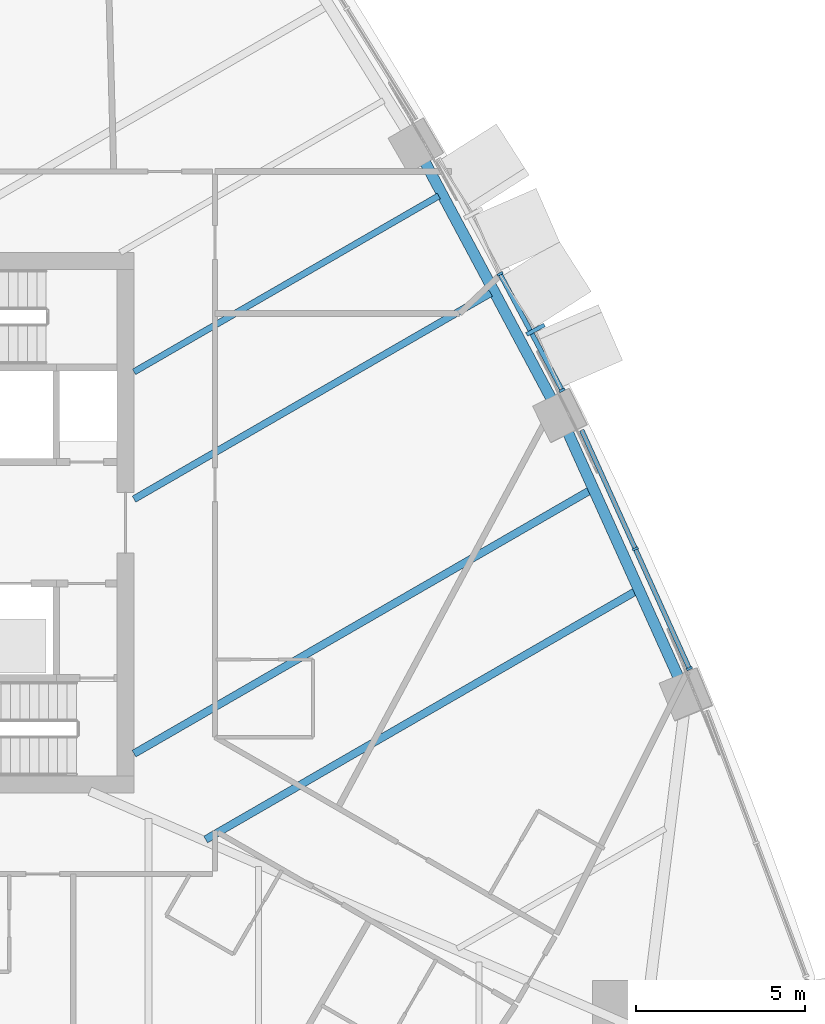
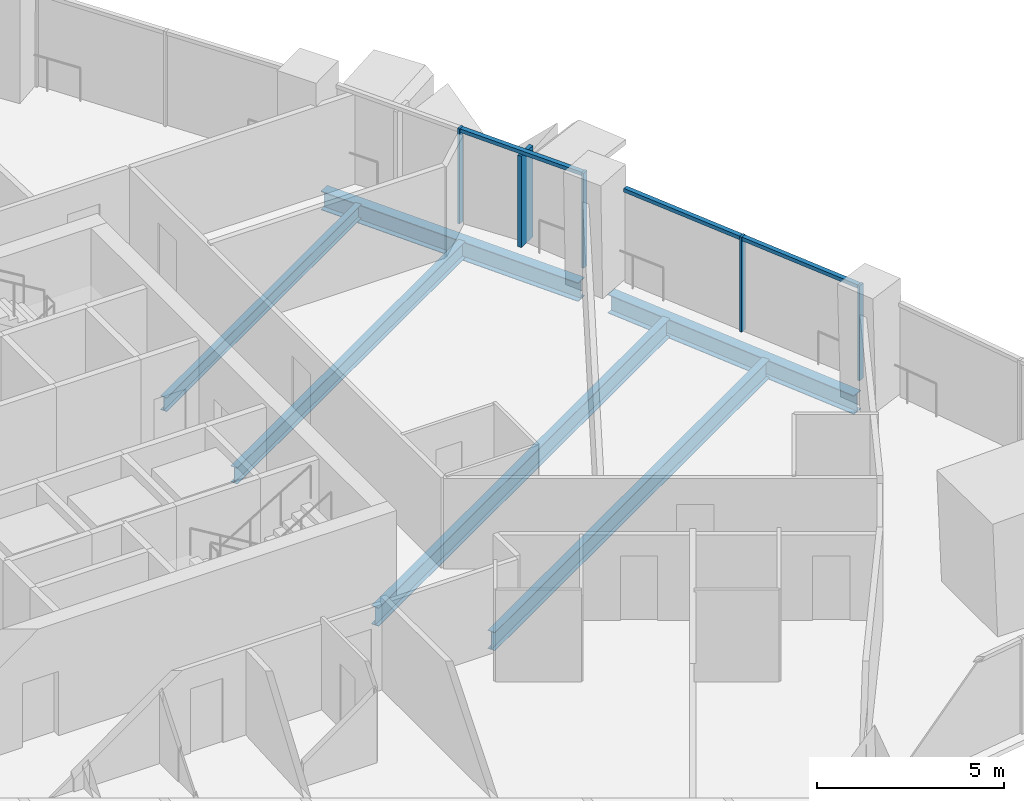
# One storey, part 5 of 18: 8 members, 6 beams, 2 elements without a shape of their own.
"""IFC4 building model written with IfcOpenShell, lengths in metres."""

from ifc_helpers import new_model, si_unit, direction, frame, origin, origin_2d, place, context, subcontext, project, spatial, rectangle, i_section, extrude, material, layer, layer_set, material_profile, profile_set, type_object, element, aggregate, save


model = new_model("IFC4")

# Units and contexts
model_context = context("Model", 3, precision=1e-05, world=origin(), true_north=direction((0.0, 1.0)))
body_context = subcontext(model_context, "Body", "Model", "MODEL_VIEW")
ifc_project = project(units=[si_unit("LENGTHUNIT", "METRE"), si_unit("AREAUNIT", "SQUARE_METRE"), si_unit("VOLUMEUNIT", "CUBIC_METRE"), si_unit("PLANEANGLEUNIT", "RADIAN"), si_unit("MASSUNIT", "GRAM", prefix="KILO")], contexts=[model_context])

# Site, building, storey
site_placement = place(None, origin())
site = spatial("IfcSite", under=ifc_project, at=site_placement, CompositionType="ELEMENT")
building_placement = place(site_placement, origin())
building = spatial("IfcBuilding", under=site, at=building_placement, Name="Sierra Prisma Convention Tower", CompositionType="ELEMENT")
storey_placement = place(building_placement, frame((0.0, 0.0, 85.0)))
storey = spatial("IfcBuildingStorey", under=building, at=storey_placement, Name="L17", CompositionType="ELEMENT", Elevation=85.0)

# Curtain wall, member
ifc_material_1 = material(Name="Aluminium and glass curtain wall", Category="aluminium")
ifc_layer_1 = layer(ifc_material_1, 0.179931640625)
ifc_layer_set_1 = layer_set([ifc_layer_1], Name="CW-2 Faceted crystal curtain wall")
curtain_wall_type_1 = type_object("IfcCurtainWallType", Name="CW-2 Faceted crystal curtain wall", PredefinedType="NOTDEFINED", material=ifc_layer_set_1)
curtain_wall_1_placement = place(storey_placement, origin())
curtain_wall_1 = element("IfcCurtainWall", 1, at=curtain_wall_1_placement, inside=storey, type_object=curtain_wall_type_1, Name="CW-2 NE3 L17", PredefinedType="NOTDEFINED")
ifc_material_2 = material(Name="Aluminium 6063-T6 bronze anodised", Category="aluminium")
ifc_material_profile_1 = material_profile(ifc_material_2, rectangle(XDim=0.1201171875, YDim=0.60009765625, at=origin_2d()), Name="ALU RIDGE BLADE 120x600")
ifc_profile_set_1 = profile_set([ifc_material_profile_1], Name="Aluminium 6063-T6 bronze anodised")
member_type_1 = type_object("IfcMemberType", Name="CW hip bronze", PredefinedType="MULLION", material=ifc_profile_set_1)
member_1_placement = place(storey_placement, frame((22.891845703125, 5.71533203125, 0.0), z_axis=(0.0, 0.0, 1.0), x_axis=(-0.470993707752, 0.882136569505, 0.0)))
member_1 = element("IfcMember", 2, at=member_1_placement, type_object=member_type_1, Name="CW-2 ridge NE3.1", PredefinedType="MULLION", context=body_context, shape_type="SweptSolid", body=[
    extrude(rectangle(XDim=0.1201171875, YDim=0.60009765625, at=origin_2d()), origin(), (0.0, 0.0, 1.0), 2.97998046875),
])

# Curtain wall, members
ifc_material_3 = material(Name="Aluminium and glass curtain wall", Category="aluminium")
ifc_layer_2 = layer(ifc_material_3, 0.179931640625)
ifc_layer_set_2 = layer_set([ifc_layer_2], Name="CW-1 Plain shaft curtain wall")
curtain_wall_type_2 = type_object("IfcCurtainWallType", Name="CW-1 Plain shaft curtain wall", PredefinedType="NOTDEFINED", material=ifc_layer_set_2)
curtain_wall_2_placement = place(storey_placement, origin())
curtain_wall_2 = element("IfcCurtainWall", 3, at=curtain_wall_2_placement, inside=storey, type_object=curtain_wall_type_2, Name="CW-1 NE2 L17", PredefinedType="NOTDEFINED")
ifc_material_4 = material(Name="Aluminium 6063-T6 bronze anodised", Category="aluminium")
ifc_material_profile_2 = material_profile(ifc_material_4, rectangle(XDim=0.179931640625, YDim=0.070068359375, at=origin_2d()), Name="ALU MULLION 70x180")
ifc_profile_set_2 = profile_set([ifc_material_profile_2], Name="Aluminium 6063-T6 bronze anodised")
member_type_2 = type_object("IfcMemberType", Name="CW mullion bronze", PredefinedType="MULLION", material=ifc_profile_set_2)
member_2_placement = place(storey_placement, frame((27.4462890625, -4.3203125, 0.0), z_axis=(0.0, 0.0, 1.0), x_axis=(-0.91142870865, -0.411458028296, 0.0)))
member_2 = element("IfcMember", 4, at=member_2_placement, type_object=member_type_2, Name="CW-1 mullion NE2.1", PredefinedType="MULLION", context=body_context, shape_type="SweptSolid", body=[
    extrude(rectangle(XDim=0.179931640625, YDim=0.070068359375, at=origin_2d()), origin(), (0.0, 0.0, 1.0), 3.10009765625),
])
member_3_placement = place(storey_placement, frame((25.845703125, -0.774658203125, 0.0), z_axis=(0.0, 0.0, 1.0), x_axis=(-0.91142870865, -0.411458028296, 0.0)))
member_3 = element("IfcMember", 5, at=member_3_placement, type_object=member_type_2, Name="CW-1 mullion NE2.2", PredefinedType="MULLION", context=body_context, shape_type="SweptSolid", body=[
    extrude(rectangle(XDim=0.179931640625, YDim=0.070068359375, at=origin_2d()), origin(), (0.0, 0.0, 1.0), 3.10009765625),
])

# Member
member_4_placement = place(storey_placement, frame((23.678466796875, 3.92138671875, 0.0), z_axis=(0.0, 0.0, 1.0), x_axis=(-0.882136569505, -0.470993707752, 0.0)))
member_4 = element("IfcMember", 6, at=member_4_placement, type_object=member_type_2, Name="CW-1 mullion NE3.1", PredefinedType="MULLION", context=body_context, shape_type="SweptSolid", body=[
    extrude(rectangle(XDim=0.179931640625, YDim=0.070068359375, at=origin_2d()), origin(), (0.0, 0.0, 1.0), 3.10009765625),
])

member_5_placement = place(storey_placement, frame((21.838623046875, 7.367431640625, 0.0), z_axis=(0.0, 0.0, 1.0), x_axis=(-0.882136569505, -0.470993707752, 0.0)))
member_5 = element("IfcMember", 7, at=member_5_placement, type_object=member_type_2, Name="CW-1 mullion NE3.2", PredefinedType="MULLION", context=body_context, shape_type="SweptSolid", body=[
    extrude(rectangle(XDim=0.179931640625, YDim=0.070068359375, at=origin_2d()), origin(), (0.0, 0.0, 1.0), 3.10009765625),
])

ifc_material_5 = material(Name="Aluminium 6063-T6 bronze anodised", Category="aluminium")
ifc_material_profile_3 = material_profile(ifc_material_5, rectangle(XDim=0.139892578125, YDim=0.1201171875, at=origin_2d()), Name="ALU TRANSOM 120x140")
ifc_profile_set_3 = profile_set([ifc_material_profile_3], Name="Aluminium 6063-T6 bronze anodised")
member_type_3 = type_object("IfcMemberType", Name="CW transom bronze", PredefinedType="USERDEFINED", material=ifc_profile_set_3)
member_6_placement = place(storey_placement, frame((27.431884765625, -4.28857421875, 3.0400390625), z_axis=(-0.411432610885, 0.911440182733, 0.0), x_axis=(-0.911440182733, -0.411432610885, 0.0)))
member_6 = element("IfcMember", 8, at=member_6_placement, type_object=member_type_3, Name="CW-1 transom NE2.1", ObjectType="TRANSOM", PredefinedType="USERDEFINED", context=body_context, shape_type="SweptSolid", body=[
    extrude(rectangle(XDim=0.139892578125, YDim=0.1201171875, at=origin_2d()), origin(), (0.0, 0.0, 1.0), 3.8203125),
])

member_7_placement = place(storey_placement, frame((25.831298828125, -0.74267578125, 3.0400390625), z_axis=(-0.411485697734, 0.911416216972, 0.0), x_axis=(-0.911416216972, -0.411485697734, 0.0)))
member_7 = element("IfcMember", 9, at=member_7_placement, type_object=member_type_3, Name="CW-1 transom NE2.2", ObjectType="TRANSOM", PredefinedType="USERDEFINED", context=body_context, shape_type="SweptSolid", body=[
    extrude(rectangle(XDim=0.139892578125, YDim=0.1201171875, at=origin_2d()), origin(), (0.0, 0.0, 1.0), 3.8203125),
])

aggregate(curtain_wall_2, [member_2, member_3, member_6, member_7])

member_8_placement = place(storey_placement, frame((23.662109375, 3.9521484375, 3.0400390625), z_axis=(-0.470981243839, 0.882143224172, 0.0), x_axis=(-0.882143224172, -0.470981243839, 0.0)))
member_8 = element("IfcMember", 10, at=member_8_placement, type_object=member_type_3, Name="CW-1 transom NE3.1", ObjectType="TRANSOM", PredefinedType="USERDEFINED", context=body_context, shape_type="SweptSolid", body=[
    extrude(rectangle(XDim=0.139892578125, YDim=0.1201171875, at=origin_2d()), origin(), (0.0, 0.0, 1.0), 3.83642578125),
])

aggregate(curtain_wall_1, [member_4, member_5, member_8, member_1])

# Beams
ifc_material_6 = material(Name="Steel ASTM A992 Gr 50", Category="steel")
ifc_material_profile_4 = material_profile(ifc_material_6, i_section(OverallWidth=0.18994140625, OverallDepth=0.45703125, WebThickness=0.009033203125, FlangeThickness=0.014404296875, at=origin_2d()), Name="W460x74")
ifc_profile_set_4 = profile_set([ifc_material_profile_4], Name="Steel ASTM A992 Gr 50")
beam_type_1 = type_object("IfcBeamType", Name="Floor joist W460x74", PredefinedType="JOIST", material=ifc_profile_set_4)
beam_1_placement = place(storey_placement, frame((20.024658203125, 9.677001953125, -0.37841796875), z_axis=(-0.866022894995, -0.500004345326, 0.0), x_axis=(0.500004345326, -0.866022894995, 0.0)))
element("IfcBeam", 11, at=beam_1_placement, inside=storey, type_object=beam_type_1, Name="Floor joist L17 NE08", PredefinedType="JOIST", context=body_context, shape_type="SweptSolid", body=[
    extrude(i_section(OverallWidth=0.18994140625, OverallDepth=0.45703125, WebThickness=0.009033203125, FlangeThickness=0.014404296875, at=origin_2d()), origin(), (0.0, 0.0, 1.0), 10.4208984375),
])
ifc_material_7 = material(Name="Steel ASTM A992 Gr 50", Category="steel")
ifc_material_profile_5 = material_profile(ifc_material_7, i_section(OverallWidth=0.208984375, OverallDepth=0.532958984375, WebThickness=0.01025390625, FlangeThickness=0.015625, at=origin_2d()), Name="W530x92")
ifc_profile_set_5 = profile_set([ifc_material_profile_5], Name="Steel ASTM A992 Gr 50")
beam_type_2 = type_object("IfcBeamType", Name="Floor joist W530x92", PredefinedType="JOIST", material=ifc_profile_set_5)
beam_2_placement = place(storey_placement, frame((21.562744140625, 6.796142578125, -0.41650390625), z_axis=(-0.866025918604, -0.499999108305, 0.0), x_axis=(0.499999108305, -0.866025918604, 0.0)))
element("IfcBeam", 12, at=beam_2_placement, inside=storey, type_object=beam_type_2, Name="Floor joist L17 NE07", PredefinedType="JOIST", context=body_context, shape_type="SweptSolid", body=[
    extrude(i_section(OverallWidth=0.208984375, OverallDepth=0.532958984375, WebThickness=0.01025390625, FlangeThickness=0.015625, at=origin_2d()), origin(), (0.0, 0.0, 1.0), 12.19677734375),
])
ifc_material_8 = material(Name="Steel ASTM A992 Gr 50", Category="steel")
ifc_material_profile_6 = material_profile(ifc_material_8, i_section(OverallWidth=0.22802734375, OverallDepth=0.60302734375, WebThickness=0.010498046875, FlangeThickness=0.014892578125, at=origin_2d()), Name="W610x101")
ifc_profile_set_6 = profile_set([ifc_material_profile_6], Name="Steel ASTM A992 Gr 50")
beam_type_3 = type_object("IfcBeamType", Name="Floor joist W610x101", PredefinedType="JOIST", material=ifc_profile_set_6)
beam_3_placement = place(storey_placement, frame((25.851806640625, -2.033935546875, -0.451416015625), z_axis=(-0.866025713304, -0.499999463897, 0.0), x_axis=(0.499999463897, -0.866025713304, 0.0)))
element("IfcBeam", 13, at=beam_3_placement, inside=storey, type_object=beam_type_3, Name="Floor joist L17 NE04", PredefinedType="JOIST", context=body_context, shape_type="SweptSolid", body=[
    extrude(i_section(OverallWidth=0.22802734375, OverallDepth=0.60302734375, WebThickness=0.010498046875, FlangeThickness=0.014892578125, at=origin_2d()), origin(), (0.0, 0.0, 1.0), 14.69873046875),
])
beam_4_placement = place(storey_placement, frame((24.502197265625, 0.95556640625, -0.451416015625), z_axis=(-0.866027821991, -0.499995811521, 0.0), x_axis=(0.499995811521, -0.866027821991, 0.0)))
element("IfcBeam", 14, at=beam_4_placement, inside=storey, type_object=beam_type_3, Name="Floor joist L17 NE05", PredefinedType="JOIST", context=body_context, shape_type="SweptSolid", body=[
    extrude(i_section(OverallWidth=0.22802734375, OverallDepth=0.60302734375, WebThickness=0.010498046875, FlangeThickness=0.014892578125, at=origin_2d()), origin(), (0.0, 0.0, 1.0), 15.591064453125),
])
ifc_material_9 = material(Name="Steel ASTM A992 Gr 50", Category="steel")
ifc_material_profile_7 = material_profile(ifc_material_9, i_section(OverallWidth=0.324951171875, OverallDepth=0.615966796875, WebThickness=0.013916015625, FlangeThickness=0.021484375, at=origin_2d()), Name="W610x174")
ifc_profile_set_7 = profile_set([ifc_material_profile_7], Name="Steel ASTM A992 Gr 50")
beam_type_4 = type_object("IfcBeamType", Name="Spandrel beam W610x174", PredefinedType="BEAM", material=ifc_profile_set_7)
beam_5_placement = place(storey_placement, frame((27.15869140625, -4.655029296875, -0.4580078125), z_axis=(-0.411456033308, 0.91142960927, 0.0), x_axis=(-0.91142960927, -0.411456033308, 0.0)))
element("IfcBeam", 15, at=beam_5_placement, inside=storey, type_object=beam_type_4, Name="Spandrel L17-08", PredefinedType="BEAM", context=body_context, shape_type="SweptSolid", body=[
    extrude(i_section(OverallWidth=0.324951171875, OverallDepth=0.615966796875, WebThickness=0.013916015625, FlangeThickness=0.021484375, at=origin_2d()), origin(), (0.0, 0.0, 1.0), 8.10888671875),
])
beam_6_placement = place(storey_placement, frame((23.3984375, 3.596923828125, -0.4580078125), z_axis=(-0.47098355434, 0.882141990578, 0.0), x_axis=(-0.882141990578, -0.47098355434, 0.0)))
element("IfcBeam", 16, at=beam_6_placement, inside=storey, type_object=beam_type_4, Name="Spandrel L17-09", PredefinedType="BEAM", context=body_context, shape_type="SweptSolid", body=[
    extrude(i_section(OverallWidth=0.324951171875, OverallDepth=0.615966796875, WebThickness=0.013916015625, FlangeThickness=0.021484375, at=origin_2d()), origin(), (0.0, 0.0, 1.0), 8.108642578125),
])

save(model, "model.ifc")
